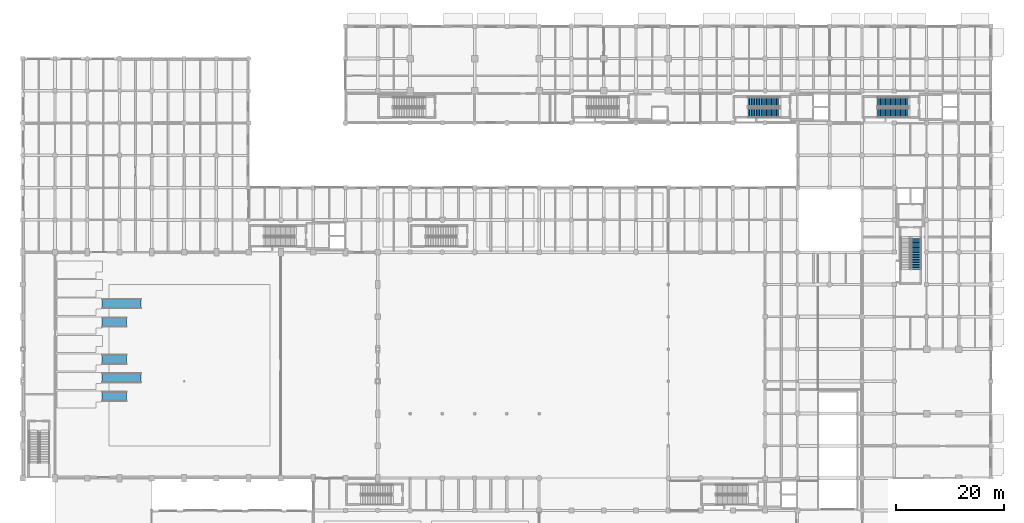
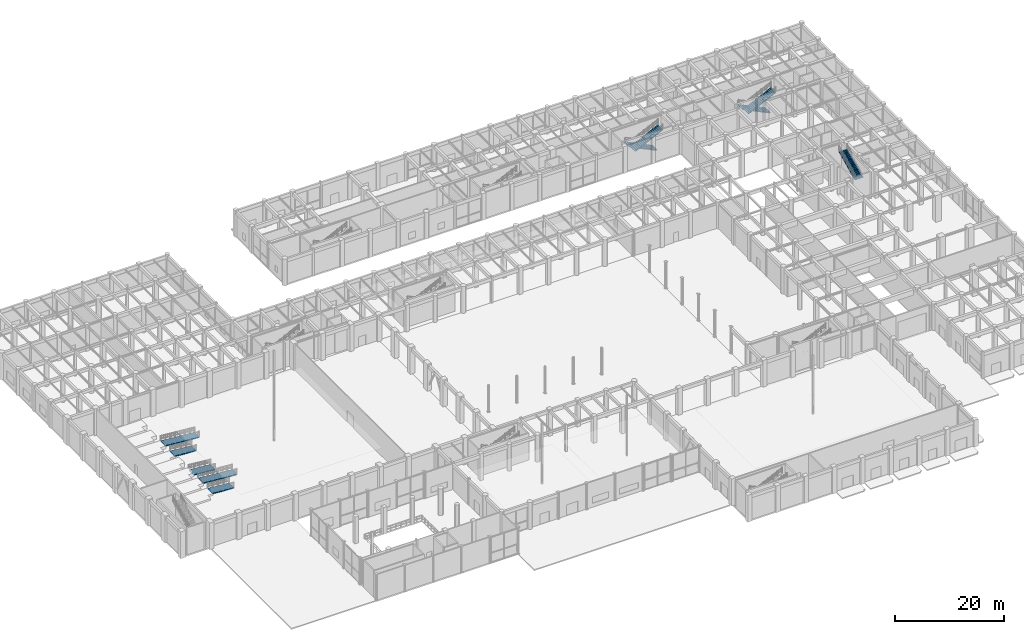
# One storey, part 93 of 106: 5 ramp flights, 5 stair flights, 8 elements without a shape of their own.
"""IFC4 building model written with IfcOpenShell, lengths in metres."""

from ifc_helpers import new_model, si_unit, direction, frame, origin, place, context, subcontext, project, spatial, polyline, outline, extrude, material, layer, layer_set, type_object, element, aggregate, save


model = new_model("IFC4")

# Units and contexts
model_context = context("Model", 3, precision=1e-05, world=origin(), true_north=direction((0.0, 1.0)))
body_context = subcontext(model_context, "Body", "Model", "MODEL_VIEW")
ifc_project = project(units=[si_unit("LENGTHUNIT", "METRE"), si_unit("AREAUNIT", "SQUARE_METRE"), si_unit("VOLUMEUNIT", "CUBIC_METRE"), si_unit("PLANEANGLEUNIT", "RADIAN"), si_unit("MASSUNIT", "GRAM", prefix="KILO"), si_unit("THERMODYNAMICTEMPERATUREUNIT", "KELVIN"), si_unit("POWERUNIT", "WATT")], contexts=[model_context])

# Site, building, storey
site_placement = place(None, origin())
site = spatial("IfcSite", under=ifc_project, at=site_placement, CompositionType="ELEMENT")
building_placement = place(site_placement, origin())
building = spatial("IfcBuilding", under=site, at=building_placement, Name="Phaisarnlok Congress Hotel", CompositionType="ELEMENT")
storey_placement = place(building_placement, origin())
storey = spatial("IfcBuildingStorey", under=building, at=storey_placement, Name="L00", CompositionType="ELEMENT", Elevation=0.0)

# Stair, stair flights
ifc_material = material(Name="Concrete C40/50", Category="concrete")
stair_type = type_object("IfcStairType", Name="STR-DOG-02", PredefinedType="HALF_TURN_STAIR", material=ifc_material)
stair_1_placement = place(storey_placement, origin())
stair_1 = element("IfcStair", 1, at=stair_1_placement, inside=storey, type_object=stair_type, Name="L00 ST-05", PredefinedType="HALF_TURN_STAIR")
stair_flight_type = type_object("IfcStairFlightType", Name="SFL-RC-02", PredefinedType="STRAIGHT", material=ifc_material)
stair_flight_1_placement = place(storey_placement, frame((164.719970703125, 111.909912109375, 0.0), z_axis=(0.0, 0.0, 1.0), x_axis=(-1.0, 0.0, 0.0)))
stair_flight_1 = element("IfcStairFlight", 2, at=stair_flight_1_placement, type_object=stair_flight_type, Name="ST-05 flight 1", NumberOfRisers=20, NumberOfTreads=19, PredefinedType="STRAIGHT", RiserHeight=0.15, TreadLength=0.31, context=body_context, shape_type="SweptSolid", body=[
    extrude(outline(polyline([(0.0, 0.0), (0.0, 0.14990234375), (0.31005859375, 0.14990234375), (0.31005859375, 0.300048828125), (0.6201171875, 0.300048828125), (0.6201171875, 0.449951171875), (0.929931640625, 0.449951171875), (0.929931640625, 0.60009765625), (1.239990234375, 0.60009765625), (1.239990234375, 0.75), (1.550048828125, 0.75), (1.550048828125, 0.89990234375), (1.860107421875, 0.89990234375), (1.860107421875, 1.050048828125), (2.169921875, 1.050048828125), (2.169921875, 1.199951171875), (2.47998046875, 1.199951171875), (2.47998046875, 1.35009765625), (2.7900390625, 1.35009765625), (2.7900390625, 1.5), (3.10009765625, 1.5), (3.10009765625, 1.64990234375), (3.409912109375, 1.64990234375), (3.409912109375, 1.800048828125), (3.719970703125, 1.800048828125), (3.719970703125, 1.949951171875), (4.030029296875, 1.949951171875), (4.030029296875, 2.10009765625), (4.340087890625, 2.10009765625), (4.340087890625, 2.25), (4.64990234375, 2.25), (4.64990234375, 2.39990234375), (4.9599609375, 2.39990234375), (4.9599609375, 2.550048828125), (5.27001953125, 2.550048828125), (5.27001953125, 2.699951171875), (5.580078125, 2.699951171875), (5.580078125, 2.85009765625), (5.889892578125, 2.85009765625), (5.889892578125, 3.0), (5.889892578125, 2.683349609375), (0.34423828125, 0.0), (0.0, 0.0)])), frame((0.0, 0.89013671875, 0.0), z_axis=(0.0, -1.0, 0.0), x_axis=(1.0, 0.0, 0.0)), (0.0, 0.0, 1.0), 1.780029296875),
])
stair_flight_2_placement = place(storey_placement, frame((158.830078125, 109.889892578125, 3.0), z_axis=(0.0, 0.0, 1.0), x_axis=(1.0, 0.0, 0.0)))
stair_flight_2 = element("IfcStairFlight", 3, at=stair_flight_2_placement, type_object=stair_flight_type, Name="ST-05 flight 2", NumberOfRisers=20, NumberOfTreads=19, PredefinedType="STRAIGHT", RiserHeight=0.15, TreadLength=0.31, context=body_context, shape_type="SweptSolid", body=[
    extrude(outline(polyline([(0.0, 0.0), (0.0, 0.14990234375), (0.31005859375, 0.14990234375), (0.31005859375, 0.300048828125), (0.6201171875, 0.300048828125), (0.6201171875, 0.449951171875), (0.929931640625, 0.449951171875), (0.929931640625, 0.60009765625), (1.239990234375, 0.60009765625), (1.239990234375, 0.75), (1.550048828125, 0.75), (1.550048828125, 0.89990234375), (1.860107421875, 0.89990234375), (1.860107421875, 1.050048828125), (2.169921875, 1.050048828125), (2.169921875, 1.199951171875), (2.47998046875, 1.199951171875), (2.47998046875, 1.35009765625), (2.7900390625, 1.35009765625), (2.7900390625, 1.5), (3.10009765625, 1.5), (3.10009765625, 1.64990234375), (3.409912109375, 1.64990234375), (3.409912109375, 1.800048828125), (3.719970703125, 1.800048828125), (3.719970703125, 1.949951171875), (4.030029296875, 1.949951171875), (4.030029296875, 2.10009765625), (4.340087890625, 2.10009765625), (4.340087890625, 2.25), (4.64990234375, 2.25), (4.64990234375, 2.39990234375), (4.9599609375, 2.39990234375), (4.9599609375, 2.550048828125), (5.27001953125, 2.550048828125), (5.27001953125, 2.699951171875), (5.580078125, 2.699951171875), (5.580078125, 2.85009765625), (5.889892578125, 2.85009765625), (5.889892578125, 3.0), (5.889892578125, 2.683349609375), (0.34423828125, 0.0), (0.0, 0.0)])), frame((0.0, 0.89013671875, 0.0), z_axis=(0.0, -1.0, 0.0), x_axis=(1.0, 0.0, 0.0)), (0.0, 0.0, 1.0), 1.780029296875),
])
aggregate(stair_1, [stair_flight_1, stair_flight_2])

stair_2_placement = place(storey_placement, origin())
stair_2 = element("IfcStair", 4, at=stair_2_placement, inside=storey, type_object=stair_type, Name="L00 ST-06", PredefinedType="HALF_TURN_STAIR")
stair_flight_3_placement = place(storey_placement, frame((140.719970703125, 111.909912109375, 0.0), z_axis=(0.0, 0.0, 1.0), x_axis=(-1.0, 0.0, 0.0)))
stair_flight_3 = element("IfcStairFlight", 5, at=stair_flight_3_placement, type_object=stair_flight_type, Name="ST-06 flight 1", NumberOfRisers=20, NumberOfTreads=19, PredefinedType="STRAIGHT", RiserHeight=0.15, TreadLength=0.31, context=body_context, shape_type="SweptSolid", body=[
    extrude(outline(polyline([(0.0, 0.0), (0.0, 0.14990234375), (0.31005859375, 0.14990234375), (0.31005859375, 0.300048828125), (0.6201171875, 0.300048828125), (0.6201171875, 0.449951171875), (0.929931640625, 0.449951171875), (0.929931640625, 0.60009765625), (1.239990234375, 0.60009765625), (1.239990234375, 0.75), (1.550048828125, 0.75), (1.550048828125, 0.89990234375), (1.860107421875, 0.89990234375), (1.860107421875, 1.050048828125), (2.169921875, 1.050048828125), (2.169921875, 1.199951171875), (2.47998046875, 1.199951171875), (2.47998046875, 1.35009765625), (2.7900390625, 1.35009765625), (2.7900390625, 1.5), (3.10009765625, 1.5), (3.10009765625, 1.64990234375), (3.409912109375, 1.64990234375), (3.409912109375, 1.800048828125), (3.719970703125, 1.800048828125), (3.719970703125, 1.949951171875), (4.030029296875, 1.949951171875), (4.030029296875, 2.10009765625), (4.340087890625, 2.10009765625), (4.340087890625, 2.25), (4.64990234375, 2.25), (4.64990234375, 2.39990234375), (4.9599609375, 2.39990234375), (4.9599609375, 2.550048828125), (5.27001953125, 2.550048828125), (5.27001953125, 2.699951171875), (5.580078125, 2.699951171875), (5.580078125, 2.85009765625), (5.889892578125, 2.85009765625), (5.889892578125, 3.0), (5.889892578125, 2.683349609375), (0.34423828125, 0.0), (0.0, 0.0)])), frame((0.0, 0.89013671875, 0.0), z_axis=(0.0, -1.0, 0.0), x_axis=(1.0, 0.0, 0.0)), (0.0, 0.0, 1.0), 1.780029296875),
])
stair_flight_4_placement = place(storey_placement, frame((134.830078125, 109.889892578125, 3.0), z_axis=(0.0, 0.0, 1.0), x_axis=(1.0, 0.0, 0.0)))
stair_flight_4 = element("IfcStairFlight", 6, at=stair_flight_4_placement, type_object=stair_flight_type, Name="ST-06 flight 2", NumberOfRisers=20, NumberOfTreads=19, PredefinedType="STRAIGHT", RiserHeight=0.15, TreadLength=0.31, context=body_context, shape_type="SweptSolid", body=[
    extrude(outline(polyline([(0.0, 0.0), (0.0, 0.14990234375), (0.31005859375, 0.14990234375), (0.31005859375, 0.300048828125), (0.6201171875, 0.300048828125), (0.6201171875, 0.449951171875), (0.929931640625, 0.449951171875), (0.929931640625, 0.60009765625), (1.239990234375, 0.60009765625), (1.239990234375, 0.75), (1.550048828125, 0.75), (1.550048828125, 0.89990234375), (1.860107421875, 0.89990234375), (1.860107421875, 1.050048828125), (2.169921875, 1.050048828125), (2.169921875, 1.199951171875), (2.47998046875, 1.199951171875), (2.47998046875, 1.35009765625), (2.7900390625, 1.35009765625), (2.7900390625, 1.5), (3.10009765625, 1.5), (3.10009765625, 1.64990234375), (3.409912109375, 1.64990234375), (3.409912109375, 1.800048828125), (3.719970703125, 1.800048828125), (3.719970703125, 1.949951171875), (4.030029296875, 1.949951171875), (4.030029296875, 2.10009765625), (4.340087890625, 2.10009765625), (4.340087890625, 2.25), (4.64990234375, 2.25), (4.64990234375, 2.39990234375), (4.9599609375, 2.39990234375), (4.9599609375, 2.550048828125), (5.27001953125, 2.550048828125), (5.27001953125, 2.699951171875), (5.580078125, 2.699951171875), (5.580078125, 2.85009765625), (5.889892578125, 2.85009765625), (5.889892578125, 3.0), (5.889892578125, 2.683349609375), (0.34423828125, 0.0), (0.0, 0.0)])), frame((0.0, 0.89013671875, 0.0), z_axis=(0.0, -1.0, 0.0), x_axis=(1.0, 0.0, 0.0)), (0.0, 0.0, 1.0), 1.780029296875),
])
aggregate(stair_2, [stair_flight_3, stair_flight_4])

# Stair, stair flight
stair_3_placement = place(storey_placement, origin())
stair_3 = element("IfcStair", 7, at=stair_3_placement, inside=storey, type_object=stair_type, Name="L00 ST-09", PredefinedType="HALF_TURN_STAIR")
stair_flight_5_placement = place(storey_placement, frame((166.110107421875, 80.830078125, 3.0), z_axis=(0.0, 0.0, 1.0), x_axis=(0.0, 1.0, 0.0)))
stair_flight_5 = element("IfcStairFlight", 8, at=stair_flight_5_placement, type_object=stair_flight_type, Name="ST-09 flight 2", NumberOfRisers=20, NumberOfTreads=19, PredefinedType="STRAIGHT", RiserHeight=0.15, TreadLength=0.31, context=body_context, shape_type="SweptSolid", body=[
    extrude(outline(polyline([(0.0, 0.0), (0.0, 0.14990234375), (0.31005859375, 0.14990234375), (0.31005859375, 0.300048828125), (0.6201171875, 0.300048828125), (0.6201171875, 0.449951171875), (0.929931640625, 0.449951171875), (0.929931640625, 0.60009765625), (1.239990234375, 0.60009765625), (1.239990234375, 0.75), (1.550048828125, 0.75), (1.550048828125, 0.89990234375), (1.860107421875, 0.89990234375), (1.860107421875, 1.050048828125), (2.169921875, 1.050048828125), (2.169921875, 1.199951171875), (2.47998046875, 1.199951171875), (2.47998046875, 1.35009765625), (2.7900390625, 1.35009765625), (2.7900390625, 1.5), (3.10009765625, 1.5), (3.10009765625, 1.64990234375), (3.409912109375, 1.64990234375), (3.409912109375, 1.800048828125), (3.719970703125, 1.800048828125), (3.719970703125, 1.949951171875), (4.030029296875, 1.949951171875), (4.030029296875, 2.10009765625), (4.340087890625, 2.10009765625), (4.340087890625, 2.25), (4.64990234375, 2.25), (4.64990234375, 2.39990234375), (4.9599609375, 2.39990234375), (4.9599609375, 2.550048828125), (5.27001953125, 2.550048828125), (5.27001953125, 2.699951171875), (5.580078125, 2.699951171875), (5.580078125, 2.85009765625), (5.889892578125, 2.85009765625), (5.889892578125, 3.0), (5.889892578125, 2.683349609375), (0.34423828125, 0.0), (0.0, 0.0)])), frame((0.0, 0.89013671875, 0.0), z_axis=(0.0, -1.0, 0.0), x_axis=(1.0, 0.0, 0.0)), (0.0, 0.0, 1.0), 1.780029296875),
])
aggregate(stair_3, [stair_flight_5])

# Ramp, ramp flight
ramp_type = type_object("IfcRampType", Name="RMP-ACC-1800", PredefinedType="STRAIGHT_RUN_RAMP", material=ifc_material)
ramp_1_placement = place(storey_placement, origin())
ramp_1 = element("IfcRamp", 9, at=ramp_1_placement, inside=storey, type_object=ramp_type, Name="Accessible ramp RMP-ACC-01 (1:12)", PredefinedType="STRAIGHT_RUN_RAMP")
ifc_layer = layer(ifc_material, 0.199951171875, Name="Concrete C40/50")
ifc_layer_set = layer_set([ifc_layer], Name="Concrete C40/50")
ramp_flight_type = type_object("IfcRampFlightType", Name="RFL-ACC-200", PredefinedType="STRAIGHT", material=ifc_layer_set)
ramp_flight_1_placement = place(storey_placement, frame((14.780029296875, 57.179931640625, 0.3798828125), z_axis=(0.0, 0.0, 1.0), x_axis=(1.0, 0.0, 0.0)))
ramp_flight_1 = element("IfcRampFlight", 10, at=ramp_flight_1_placement, type_object=ramp_flight_type, Name="Accessible ramp flight RMP-ACC-01-FL1", PredefinedType="STRAIGHT", context=body_context, shape_type="SweptSolid", body=[
    extrude(outline(polyline([(0.0, -0.199951171875), (4.56005859375, -0.579833984375), (4.56005859375, -0.3798828125), (0.0, 0.0), (0.0, -0.199951171875)])), frame((0.0, 0.89990234375, 0.0), z_axis=(0.0, -1.0, 0.0), x_axis=(1.0, 0.0, 0.0)), (0.0, 0.0, 1.0), 1.800048828125),
])
aggregate(ramp_1, [ramp_flight_1])

ramp_2_placement = place(storey_placement, origin())
ramp_2 = element("IfcRamp", 11, at=ramp_2_placement, inside=storey, type_object=ramp_type, Name="Accessible ramp RMP-ACC-02 (1:12)", PredefinedType="STRAIGHT_RUN_RAMP")
ramp_flight_2_placement = place(storey_placement, frame((14.780029296875, 70.97998046875, 0.3798828125), z_axis=(0.0, 0.0, 1.0), x_axis=(1.0, 0.0, 0.0)))
ramp_flight_2 = element("IfcRampFlight", 12, at=ramp_flight_2_placement, type_object=ramp_flight_type, Name="Accessible ramp flight RMP-ACC-02-FL1", PredefinedType="STRAIGHT", context=body_context, shape_type="SweptSolid", body=[
    extrude(outline(polyline([(0.0, -0.199951171875), (4.56005859375, -0.579833984375), (4.56005859375, -0.3798828125), (0.0, 0.0), (0.0, -0.199951171875)])), frame((0.0, 0.89990234375, 0.0), z_axis=(0.0, -1.0, 0.0), x_axis=(1.0, 0.0, 0.0)), (0.0, 0.0, 1.0), 1.800048828125),
])
aggregate(ramp_2, [ramp_flight_2])

ramp_3_placement = place(storey_placement, origin())
ramp_3 = element("IfcRamp", 13, at=ramp_3_placement, inside=storey, type_object=ramp_type, Name="Accessible ramp RMP-ACC-03 (1:12)", PredefinedType="STRAIGHT_RUN_RAMP")
ramp_flight_3_placement = place(storey_placement, frame((14.780029296875, 60.6201171875, 0.60009765625), z_axis=(0.0, 0.0, 1.0), x_axis=(1.0, 0.0, 0.0)))
ramp_flight_3 = element("IfcRampFlight", 14, at=ramp_flight_3_placement, type_object=ramp_flight_type, Name="Accessible ramp flight RMP-ACC-03-FL1", PredefinedType="STRAIGHT", context=body_context, shape_type="SweptSolid", body=[
    extrude(outline(polyline([(0.0, -0.199951171875), (7.199951171875, -0.800048828125), (7.199951171875, -0.60009765625), (0.0, 0.0), (0.0, -0.199951171875)])), frame((0.0, 0.89990234375, 0.0), z_axis=(0.0, -1.0, 0.0), x_axis=(1.0, 0.0, 0.0)), (0.0, 0.0, 1.0), 1.800048828125),
])
aggregate(ramp_3, [ramp_flight_3])

ramp_4_placement = place(storey_placement, origin())
ramp_4 = element("IfcRamp", 15, at=ramp_4_placement, inside=storey, type_object=ramp_type, Name="Accessible ramp RMP-ACC-04 (1:12)", PredefinedType="STRAIGHT_RUN_RAMP")
ramp_flight_4_placement = place(storey_placement, frame((14.780029296875, 74.419921875, 0.60009765625), z_axis=(0.0, 0.0, 1.0), x_axis=(1.0, 0.0, 0.0)))
ramp_flight_4 = element("IfcRampFlight", 16, at=ramp_flight_4_placement, type_object=ramp_flight_type, Name="Accessible ramp flight RMP-ACC-04-FL1", PredefinedType="STRAIGHT", context=body_context, shape_type="SweptSolid", body=[
    extrude(outline(polyline([(0.0, -0.199951171875), (7.199951171875, -0.800048828125), (7.199951171875, -0.60009765625), (0.0, 0.0), (0.0, -0.199951171875)])), frame((0.0, 0.89990234375, 0.0), z_axis=(0.0, -1.0, 0.0), x_axis=(1.0, 0.0, 0.0)), (0.0, 0.0, 1.0), 1.800048828125),
])
aggregate(ramp_4, [ramp_flight_4])

ramp_5_placement = place(storey_placement, origin())
ramp_5 = element("IfcRamp", 17, at=ramp_5_placement, inside=storey, type_object=ramp_type, Name="Accessible ramp RMP-ACC-05 (1:12)", PredefinedType="STRAIGHT_RUN_RAMP")
ramp_flight_5_placement = place(storey_placement, frame((14.780029296875, 64.06005859375, 0.3798828125), z_axis=(0.0, 0.0, 1.0), x_axis=(1.0, 0.0, 0.0)))
ramp_flight_5 = element("IfcRampFlight", 18, at=ramp_flight_5_placement, type_object=ramp_flight_type, Name="Accessible ramp flight RMP-ACC-05-FL1", PredefinedType="STRAIGHT", context=body_context, shape_type="SweptSolid", body=[
    extrude(outline(polyline([(0.0, -0.199951171875), (4.56005859375, -0.579833984375), (4.56005859375, -0.3798828125), (0.0, 0.0), (0.0, -0.199951171875)])), frame((0.0, 0.89990234375, 0.0), z_axis=(0.0, -1.0, 0.0), x_axis=(1.0, 0.0, 0.0)), (0.0, 0.0, 1.0), 1.800048828125),
])
aggregate(ramp_5, [ramp_flight_5])

save(model, "model.ifc")
